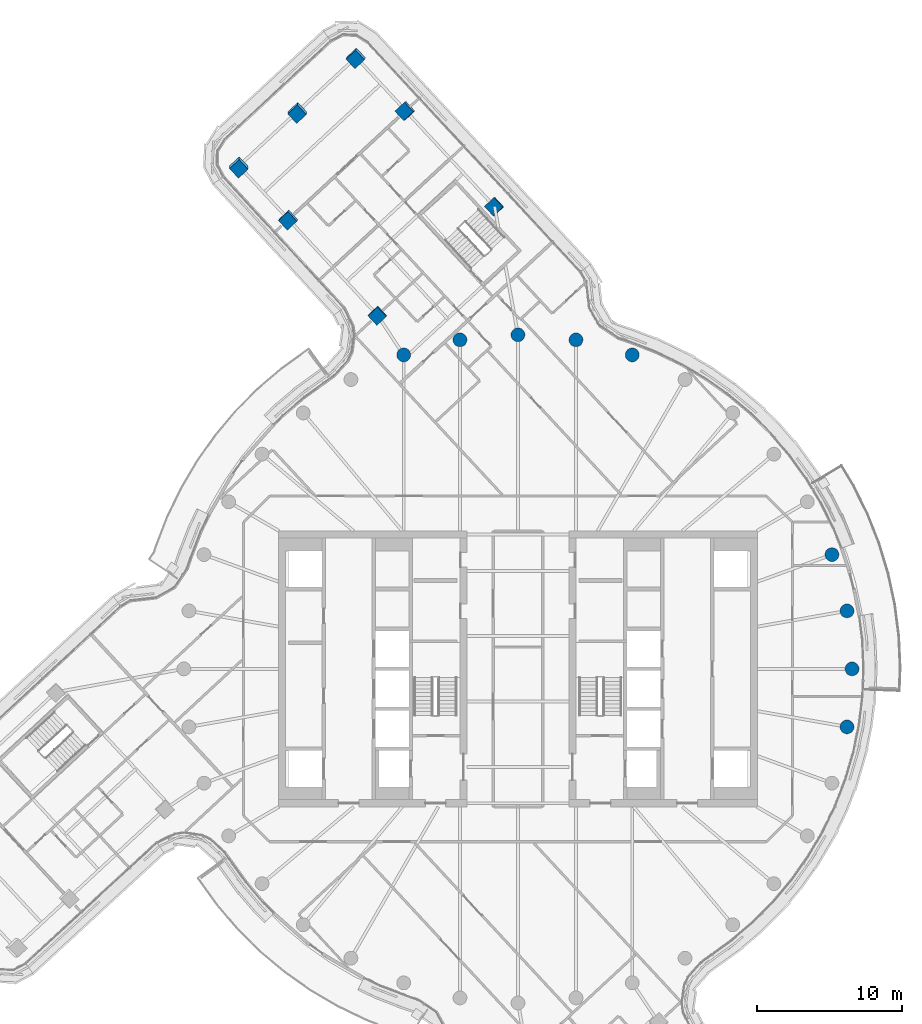
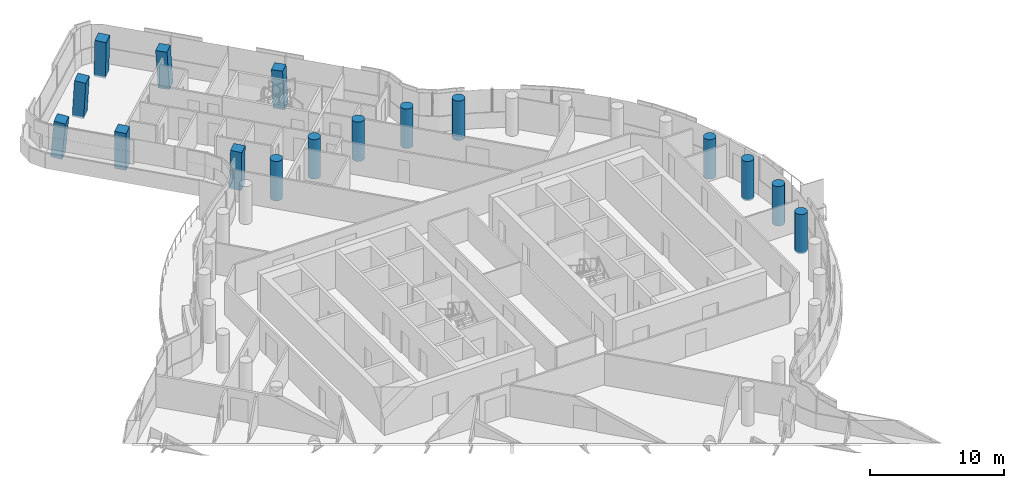
# One storey, part 2 of 34: 16 columns.
"""IFC4 building model written with IfcOpenShell, lengths in metres."""

from ifc_helpers import new_model, si_unit, direction, frame, origin, origin_2d, place, context, subcontext, project, spatial, rectangle, circle, extrude, material, material_profile, profile_set, type_object, element, save


model = new_model("IFC4")

# Units and contexts
model_context = context("Model", 3, precision=1e-05, world=origin(), true_north=direction((0.0, 1.0)))
body_context = subcontext(model_context, "Body", "Model", "MODEL_VIEW")
ifc_project = project(units=[si_unit("LENGTHUNIT", "METRE"), si_unit("AREAUNIT", "SQUARE_METRE"), si_unit("VOLUMEUNIT", "CUBIC_METRE"), si_unit("PLANEANGLEUNIT", "RADIAN"), si_unit("MASSUNIT", "GRAM", prefix="KILO")], contexts=[model_context])

# Site, building, storey
site_placement = place(None, origin())
site = spatial("IfcSite", under=ifc_project, at=site_placement, CompositionType="ELEMENT")
building_placement = place(site_placement, origin())
building = spatial("IfcBuilding", under=site, at=building_placement, Name="Tamarind Cross Interchange Tower", CompositionType="ELEMENT")
storey_placement = place(building_placement, frame((0.0, 0.0, 189.699951171875)))
storey = spatial("IfcBuildingStorey", under=building, at=storey_placement, Name="L47", CompositionType="ELEMENT", Elevation=189.699951171875)

# Columns
ifc_material = material(Name="Concrete C55", Category="concrete")
ifc_material_profile_1 = material_profile(ifc_material, rectangle(XDim=0.89990234375, YDim=0.89990234375, at=origin_2d()), Name="RC 900x900")
ifc_profile_set_1 = profile_set([ifc_material_profile_1], Name="Concrete C55")
column_type_1 = type_object("IfcColumnType", Name="Column RC 900x900 Concrete C55", PredefinedType="COLUMN", material=ifc_profile_set_1)
for number, where, z_axis, x_axis, name in (
    (1, (-15.795654296875, 30.9462890625, -0.138427734375), (-0.044406373054, -0.080093686559, 0.995797708074), (0.7313686668, 0.676407826987, 0.087019106025), "Column L47-043"),
    (2, (-7.7294921875, 38.425537109375, -0.138427734375), (-0.082526778452, -0.039742625495, 0.995796090852), (0.678688261027, -0.733931657358, 0.026954900712), "Column L47-044"),
):
    element("IfcColumn", number, at=place(storey_placement, frame(where, z_axis=z_axis, x_axis=x_axis)), inside=storey, type_object=column_type_1, Name=name, PredefinedType="COLUMN", context=body_context, shape_type="SweptSolid", body=[
        extrude(rectangle(XDim=0.89990234375, YDim=0.89990234375, at=origin_2d()), origin(), (0.0, 0.0, 1.0), 3.612060546875),
    ])
for number, where, z_axis, x_axis, name in (
    (3, (-9.676513671875, 24.3466796875, -0.138671875), (-0.011386986819, -0.049004711131, 0.99873363557), (0.732712476675, 0.679260584893, 0.041683142108), "Column L47-045"),
    (4, (-1.610107421875, 31.825927734375, -0.138671875), (-0.049682226655, -0.008607971058, 0.998727980578), (0.679239723409, -0.733402282812, 0.027467976067), "Column L47-046"),
):
    element("IfcColumn", number, at=place(storey_placement, frame(where, z_axis=z_axis, x_axis=x_axis)), inside=storey, type_object=column_type_1, Name=name, PredefinedType="COLUMN", context=body_context, shape_type="SweptSolid", body=[
        extrude(rectangle(XDim=0.89990234375, YDim=0.89990234375, at=origin_2d()), origin(), (0.0, 0.0, 1.0), 3.60205078125),
    ])
column_1_placement = place(storey_placement, frame((-11.1416015625, 42.10498046875, -0.135009765625), z_axis=(-0.044434975183, -0.115301680671, 0.992336160489), x_axis=(0.730978413032, 0.673317962303, 0.110966126909)))
element("IfcColumn", 5, at=column_1_placement, inside=storey, type_object=column_type_1, Name="Column L47-047", PredefinedType="COLUMN", context=body_context, shape_type="SweptSolid", body=[
    extrude(rectangle(XDim=0.89990234375, YDim=0.89990234375, at=origin_2d()), origin(), (0.0, 0.0, 1.0), 3.620849609375),
])
column_2_placement = place(storey_placement, frame((-15.1748046875, 38.365234375, -0.135009765625), z_axis=(-0.02537329949, -0.135144788795, 0.990500924651), x_axis=(0.731879298839, 0.672416470273, 0.110493359242)))
element("IfcColumn", 6, at=column_2_placement, inside=storey, type_object=column_type_1, Name="Column L47-048", PredefinedType="COLUMN", context=body_context, shape_type="SweptSolid", body=[
    extrude(rectangle(XDim=0.89990234375, YDim=0.89990234375, at=origin_2d()), origin(), (0.0, 0.0, 1.0), 3.62744140625),
])
column_3_placement = place(storey_placement, frame((-19.207763671875, 34.625732421875, -0.135009765625), z_axis=(-0.006377601305, -0.154807880095, 0.987924008445), x_axis=(0.732785575184, 0.671516705033, 0.109957335652)))
element("IfcColumn", 7, at=column_3_placement, inside=storey, type_object=column_type_1, Name="Column L47-049", PredefinedType="COLUMN", context=body_context, shape_type="SweptSolid", body=[
    extrude(rectangle(XDim=0.89990234375, YDim=0.89990234375, at=origin_2d()), origin(), (0.0, 0.0, 1.0), 3.63671875),
])
ifc_material_profile_2 = material_profile(ifc_material, circle(Radius=0.47509765625, at=origin_2d()), Name="RC D950")
ifc_profile_set_2 = profile_set([ifc_material_profile_2], Name="Concrete C55")
column_type_2 = type_object("IfcColumnType", Name="Column RC D950 Concrete C55", PredefinedType="COLUMN", material=ifc_profile_set_2)
for number, where, z_axis, x_axis, name in (
    (8, (23.0, 0.0, -0.139892578125), (0.0, 0.0, 1.0), (1.0, 0.0, 0.0), "Column L47-000"),
    (9, (22.650634765625, 3.993896484375, -0.139892578125), (0.0, 0.0, 1.0), (1.0, 0.0, 0.0), "Column L47-001"),
    (10, (21.613037109375, 7.866455078125, -0.139892578125), (0.0, 0.0, 1.0), (1.0, 0.0, 0.0), "Column L47-002"),
    (11, (7.866455078125, 21.613037109375, -0.139892578125), (0.0, 0.0, 1.0), (1.0, 0.0, 0.0), "Column L47-007"),
    (12, (3.993896484375, 22.650634765625, -0.139892578125), (0.0, 0.0, 1.0), (1.0, 0.0, 0.0), "Column L47-008"),
    (13, (0.0, 23.0, -0.139892578125), (0.0, 0.0, 1.0), (1.0, 0.0, 0.0), "Column L47-009"),
    (14, (-3.993896484375, 22.650634765625, -0.139892578125), (0.0, 0.0, 1.0), (1.0, 0.0, 0.0), "Column L47-010"),
    (15, (-7.866455078125, 21.613037109375, -0.139892578125), (0.0, 0.0, 1.0), (1.0, 0.0, 0.0), "Column L47-011"),
    (16, (22.650634765625, -3.993896484375, -0.139892578125), (0.0, 0.0, 1.0), (1.0, 0.0, 0.0), "Column L47-035"),
):
    element("IfcColumn", number, at=place(storey_placement, frame(where, z_axis=z_axis, x_axis=x_axis)), inside=storey, type_object=column_type_2, Name=name, PredefinedType="COLUMN", context=body_context, shape_type="SweptSolid", body=[
        extrude(circle(Radius=0.47509765625, at=origin_2d()), origin(), (0.0, 0.0, 1.0), 3.599853515625),
    ])

save(model, "model.ifc")
